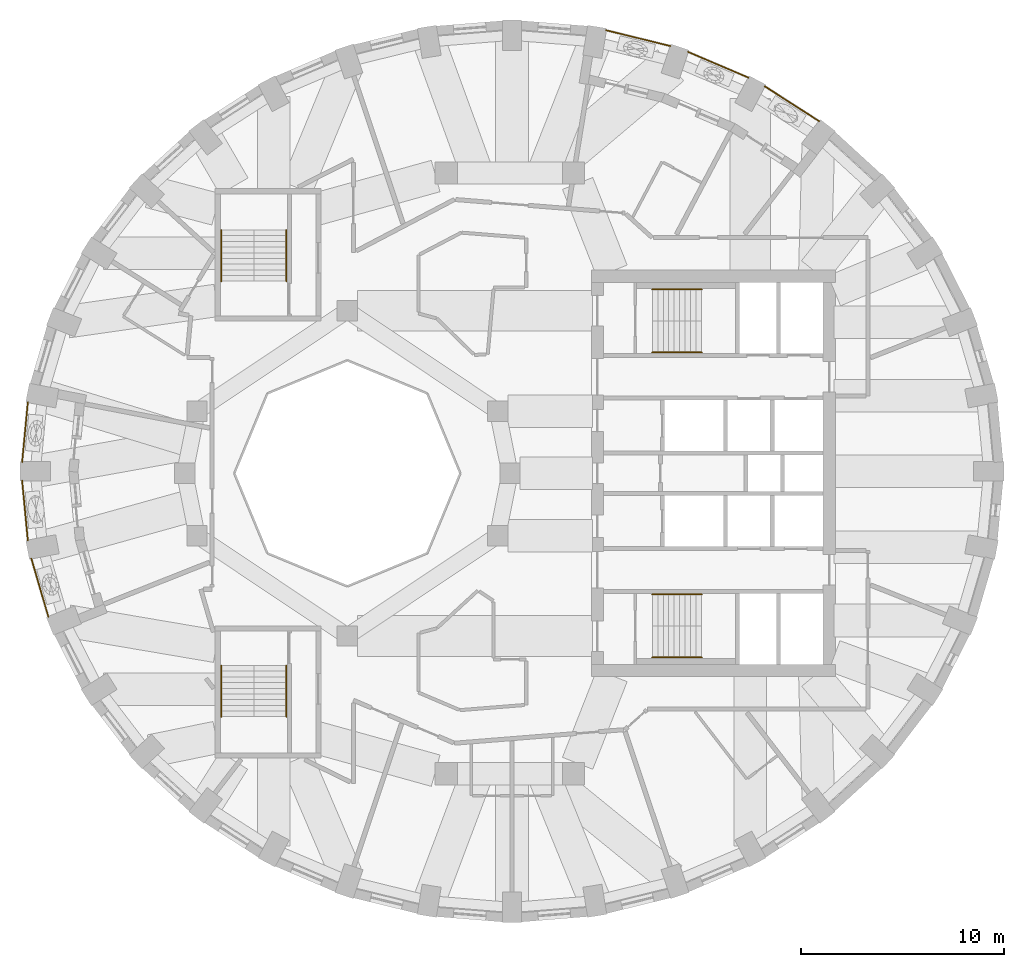
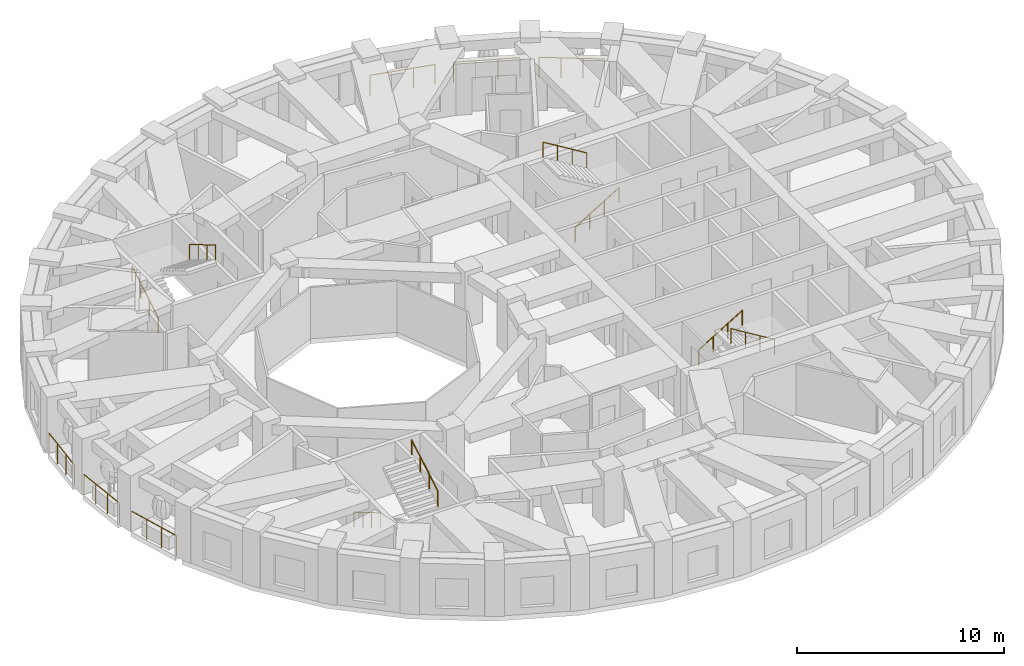
# One storey, part 10 of 12: 14 railings.
"""IFC4 building model written with IfcOpenShell, lengths in metres."""

from ifc_helpers import new_model, si_unit, direction, frame, origin, origin_2d, place, context, subcontext, project, spatial, circle, extrude, material, type_object, element, save


model = new_model("IFC4")

# Units and contexts
model_context = context("Model", 3, precision=1e-05, world=origin(), true_north=direction((0.0, 1.0)))
body_context = subcontext(model_context, "Body", "Model", "MODEL_VIEW")
ifc_project = project(units=[si_unit("LENGTHUNIT", "METRE"), si_unit("AREAUNIT", "SQUARE_METRE"), si_unit("VOLUMEUNIT", "CUBIC_METRE"), si_unit("PLANEANGLEUNIT", "RADIAN"), si_unit("MASSUNIT", "GRAM", prefix="KILO")], contexts=[model_context])

# Site, building, storey
site_placement = place(None, origin())
site = spatial("IfcSite", under=ifc_project, at=site_placement, CompositionType="ELEMENT")
building_placement = place(site_placement, origin())
building = spatial("IfcBuilding", under=site, at=building_placement, Name="Taillehof Tower", CompositionType="ELEMENT")
storey_placement = place(building_placement, frame((0.0, 0.0, 148.39990234375)))
storey = spatial("IfcBuildingStorey", under=building, at=storey_placement, Name="L41", CompositionType="ELEMENT", Elevation=148.39990234375)

# Railings
ifc_material_1 = material(Name="Stainless steel balustrade", Category="steel")
railing_type_1 = type_object("IfcRailingType", Name="Balcony guard 1200", PredefinedType="GUARDRAIL", material=ifc_material_1)
railing_1_placement = place(storey_placement, frame((-23.714599609375, 3.5, 0.0)))
element("IfcRailing", 1, at=railing_1_placement, inside=storey, type_object=railing_type_1, Name="Balcony guard L41 bay 18", PredefinedType="GUARDRAIL", context=body_context, shape_type="SweptSolid", body=[
    extrude(circle(Radius=0.02392578125, at=origin_2d()), frame((0.0, 0.0, 1.17578125), z_axis=(-0.095155707846, -0.995462400729, 0.0), x_axis=(0.995462400729, -0.095155707846, 0.0)), (0.0, 0.0, 1.0), 2.958251953125),
    extrude(circle(Radius=0.02099609375, at=origin_2d()), origin(), (0.0, 0.0, 1.0), 1.15185546875),
    extrude(circle(Radius=0.02099609375, at=origin_2d()), frame((-0.09375, -0.981689453125, 0.0)), (0.0, 0.0, 1.0), 1.15185546875),
    extrude(circle(Radius=0.02099609375, at=origin_2d()), frame((-0.187744140625, -1.963134765625, 0.0)), (0.0, 0.0, 1.0), 1.15185546875),
    extrude(circle(Radius=0.02099609375, at=origin_2d()), frame((-0.281494140625, -2.94482421875, 0.0)), (0.0, 0.0, 1.0), 1.15185546875),
])
railing_2_placement = place(storey_placement, frame((-23.99609375, -0.35498046875, 0.0)))
element("IfcRailing", 2, at=railing_2_placement, inside=storey, type_object=railing_type_1, Name="Balcony guard L41 bay 19", PredefinedType="GUARDRAIL", context=body_context, shape_type="SweptSolid", body=[
    extrude(circle(Radius=0.02392578125, at=origin_2d()), frame((0.0, 0.0, 1.17578125), z_axis=(0.095155707846, -0.995462400729, 0.0), x_axis=(0.995462400729, 0.095155707846, 0.0)), (0.0, 0.0, 1.0), 2.958251953125),
    extrude(circle(Radius=0.02099609375, at=origin_2d()), origin(), (0.0, 0.0, 1.0), 1.15185546875),
    extrude(circle(Radius=0.02099609375, at=origin_2d()), frame((0.09375, -0.981689453125, 0.0)), (0.0, 0.0, 1.0), 1.15185546875),
    extrude(circle(Radius=0.02099609375, at=origin_2d()), frame((0.187744140625, -1.963134765625, 0.0)), (0.0, 0.0, 1.0), 1.15185546875),
    extrude(circle(Radius=0.02099609375, at=origin_2d()), frame((0.281494140625, -2.94482421875, 0.0)), (0.0, 0.0, 1.0), 1.15185546875),
])
railing_3_placement = place(storey_placement, frame((-23.54248046875, -4.193603515625, 0.0)))
element("IfcRailing", 3, at=railing_3_placement, inside=storey, type_object=railing_type_1, Name="Balcony guard L41 bay 20", PredefinedType="GUARDRAIL", context=body_context, shape_type="SweptSolid", body=[
    extrude(circle(Radius=0.02392578125, at=origin_2d()), frame((0.0, 0.0, 1.17578125), z_axis=(0.281070006833, -0.959687267426, 0.0), x_axis=(0.959687267426, 0.281070006833, 0.0)), (0.0, 0.0, 1.0), 2.978515625),
    extrude(circle(Radius=0.02099609375, at=origin_2d()), origin(), (0.0, 0.0, 1.0), 1.15185546875),
    extrude(circle(Radius=0.02099609375, at=origin_2d()), frame((0.279052734375, -0.952880859375, 0.0)), (0.0, 0.0, 1.0), 1.15185546875),
    extrude(circle(Radius=0.02099609375, at=origin_2d()), frame((0.55810546875, -1.905517578125, 0.0)), (0.0, 0.0, 1.0), 1.15185546875),
    extrude(circle(Radius=0.02099609375, at=origin_2d()), frame((0.837158203125, -2.8583984375, 0.0)), (0.0, 0.0, 1.0), 1.15185546875),
])
railing_4_placement = place(storey_placement, frame((15.20947265625, 17.32470703125, 0.0)))
element("IfcRailing", 4, at=railing_4_placement, inside=storey, type_object=railing_type_1, Name="Balcony guard L41 bay 6", PredefinedType="GUARDRAIL", context=body_context, shape_type="SweptSolid", body=[
    extrude(circle(Radius=0.02392578125, at=origin_2d()), frame((0.0, 0.0, 1.17578125), z_axis=(-0.842048180821, 0.539402318475, 0.0), x_axis=(-0.539402318475, -0.842048180821, 0.0)), (0.0, 0.0, 1.0), 3.17919921875),
    extrude(circle(Radius=0.02099609375, at=origin_2d()), origin(), (0.0, 0.0, 1.0), 1.15185546875),
    extrude(circle(Radius=0.02099609375, at=origin_2d()), frame((-0.892333984375, 0.571533203125, 0.0)), (0.0, 0.0, 1.0), 1.15185546875),
    extrude(circle(Radius=0.02099609375, at=origin_2d()), frame((-1.78466796875, 1.143310546875, 0.0)), (0.0, 0.0, 1.0), 1.15185546875),
    extrude(circle(Radius=0.02099609375, at=origin_2d()), frame((-2.677001953125, 1.71484375, 0.0)), (0.0, 0.0, 1.0), 1.15185546875),
])
railing_5_placement = place(storey_placement, frame((11.727783203125, 19.465087890625, 0.0)))
element("IfcRailing", 5, at=railing_5_placement, inside=storey, type_object=railing_type_1, Name="Balcony guard L41 bay 7", PredefinedType="GUARDRAIL", context=body_context, shape_type="SweptSolid", body=[
    extrude(circle(Radius=0.02392578125, at=origin_2d()), frame((0.0, 0.0, 1.17578125), z_axis=(-0.919824392668, 0.39233032849, 0.0), x_axis=(-0.39233032849, -0.919824392668, 0.0)), (0.0, 0.0, 1.0), 3.227783203125),
    extrude(circle(Radius=0.02099609375, at=origin_2d()), origin(), (0.0, 0.0, 1.0), 1.15185546875),
    extrude(circle(Radius=0.02099609375, at=origin_2d()), frame((-0.98974609375, 0.422119140625, 0.0)), (0.0, 0.0, 1.0), 1.15185546875),
    extrude(circle(Radius=0.02099609375, at=origin_2d()), frame((-1.979248046875, 0.84423828125, 0.0)), (0.0, 0.0, 1.0), 1.15185546875),
    extrude(circle(Radius=0.02099609375, at=origin_2d()), frame((-2.968994140625, 1.266357421875, 0.0)), (0.0, 0.0, 1.0), 1.15185546875),
])
railing_6_placement = place(storey_placement, frame((7.895263671875, 21.019287109375, 0.0)))
element("IfcRailing", 6, at=railing_6_placement, inside=storey, type_object=railing_type_1, Name="Balcony guard L41 bay 8", PredefinedType="GUARDRAIL", context=body_context, shape_type="SweptSolid", body=[
    extrude(circle(Radius=0.02392578125, at=origin_2d()), frame((0.0, 0.0, 1.17578125), z_axis=(-0.971236963408, 0.238115016139, 0.0), x_axis=(-0.238115016139, -0.971236963408, 0.0)), (0.0, 0.0, 1.0), 3.263427734375),
    extrude(circle(Radius=0.02099609375, at=origin_2d()), origin(), (0.0, 0.0, 1.0), 1.15185546875),
    extrude(circle(Radius=0.02099609375, at=origin_2d()), frame((-1.056640625, 0.259033203125, 0.0)), (0.0, 0.0, 1.0), 1.15185546875),
    extrude(circle(Radius=0.02099609375, at=origin_2d()), frame((-2.113037109375, 0.51806640625, 0.0)), (0.0, 0.0, 1.0), 1.15185546875),
    extrude(circle(Radius=0.02099609375, at=origin_2d()), frame((-3.169677734375, 0.777099609375, 0.0)), (0.0, 0.0, 1.0), 1.15185546875),
])
ifc_material_2 = material(Name="Stainless steel", Category="steel")
railing_type_2 = type_object("IfcRailingType", Name="Stair handrail 900", PredefinedType="HANDRAIL", material=ifc_material_2)
railing_7_placement = place(storey_placement, frame((7.0, 5.949951171875, 0.1650390625)))
element("IfcRailing", 7, at=railing_7_placement, inside=storey, type_object=railing_type_2, Name="Stair S1 handrail", PredefinedType="HANDRAIL", context=body_context, shape_type="SweptSolid", body=[
    extrude(circle(Radius=0.02392578125, at=origin_2d()), frame((0.0, 0.0, 0.8759765625), z_axis=(0.853258522278, 0.0, 0.521488153423), x_axis=(0.0, 1.0, 0.0)), (0.0, 0.0, 1.0), 2.847900390625),
    extrude(circle(Radius=0.02099609375, at=origin_2d()), origin(), (0.0, 0.0, 1.0), 0.851806640625),
    extrude(circle(Radius=0.02099609375, at=origin_2d()), frame((0.81005859375, 0.0, 0.4951171875)), (0.0, 0.0, 1.0), 0.851806640625),
    extrude(circle(Radius=0.02099609375, at=origin_2d()), frame((1.619873046875, 0.0, 0.989990234375)), (0.0, 0.0, 1.0), 0.851806640625),
    extrude(circle(Radius=0.02099609375, at=origin_2d()), frame((2.429931640625, 0.0, 1.485107421875)), (0.0, 0.0, 1.0), 0.851806640625),
])
railing_8_placement = place(storey_placement, frame((9.429931640625, 9.050048828125, 1.815185546875)))
element("IfcRailing", 8, at=railing_8_placement, inside=storey, type_object=railing_type_2, Name="Stair S1 handrail", PredefinedType="HANDRAIL", context=body_context, shape_type="SweptSolid", body=[
    extrude(circle(Radius=0.02392578125, at=origin_2d()), frame((0.0, 0.0, 0.8759765625), z_axis=(-0.853296667938, 0.0, 0.521425734392), x_axis=(0.0, -1.0, 0.0)), (0.0, 0.0, 1.0), 2.84765625),
    extrude(circle(Radius=0.02099609375, at=origin_2d()), origin(), (0.0, 0.0, 1.0), 0.851806640625),
    extrude(circle(Radius=0.02099609375, at=origin_2d()), frame((-0.81005859375, 0.0, 0.494873046875)), (0.0, 0.0, 1.0), 0.851806640625),
    extrude(circle(Radius=0.02099609375, at=origin_2d()), frame((-1.619873046875, 0.0, 0.989990234375)), (0.0, 0.0, 1.0), 0.851806640625),
    extrude(circle(Radius=0.02099609375, at=origin_2d()), frame((-2.429931640625, 0.0, 1.48486328125)), (0.0, 0.0, 1.0), 0.851806640625),
])
railing_9_placement = place(storey_placement, frame((7.0, -5.949951171875, 0.1650390625)))
element("IfcRailing", 9, at=railing_9_placement, inside=storey, type_object=railing_type_2, Name="Stair S2 handrail", PredefinedType="HANDRAIL", context=body_context, shape_type="SweptSolid", body=[
    extrude(circle(Radius=0.02392578125, at=origin_2d()), frame((0.0, 0.0, 0.8759765625), z_axis=(0.853258522278, 0.0, 0.521488153423), x_axis=(0.0, 1.0, 0.0)), (0.0, 0.0, 1.0), 2.847900390625),
    extrude(circle(Radius=0.02099609375, at=origin_2d()), origin(), (0.0, 0.0, 1.0), 0.851806640625),
    extrude(circle(Radius=0.02099609375, at=origin_2d()), frame((0.81005859375, 0.0, 0.4951171875)), (0.0, 0.0, 1.0), 0.851806640625),
    extrude(circle(Radius=0.02099609375, at=origin_2d()), frame((1.619873046875, 0.0, 0.989990234375)), (0.0, 0.0, 1.0), 0.851806640625),
    extrude(circle(Radius=0.02099609375, at=origin_2d()), frame((2.429931640625, 0.0, 1.485107421875)), (0.0, 0.0, 1.0), 0.851806640625),
])
railing_10_placement = place(storey_placement, frame((9.429931640625, -9.050048828125, 1.815185546875)))
element("IfcRailing", 10, at=railing_10_placement, inside=storey, type_object=railing_type_2, Name="Stair S2 handrail", PredefinedType="HANDRAIL", context=body_context, shape_type="SweptSolid", body=[
    extrude(circle(Radius=0.02392578125, at=origin_2d()), frame((0.0, 0.0, 0.8759765625), z_axis=(-0.853296667938, 0.0, 0.521425734392), x_axis=(0.0, -1.0, 0.0)), (0.0, 0.0, 1.0), 2.84765625),
    extrude(circle(Radius=0.02099609375, at=origin_2d()), origin(), (0.0, 0.0, 1.0), 0.851806640625),
    extrude(circle(Radius=0.02099609375, at=origin_2d()), frame((-0.81005859375, 0.0, 0.494873046875)), (0.0, 0.0, 1.0), 0.851806640625),
    extrude(circle(Radius=0.02099609375, at=origin_2d()), frame((-1.619873046875, 0.0, 0.989990234375)), (0.0, 0.0, 1.0), 0.851806640625),
    extrude(circle(Radius=0.02099609375, at=origin_2d()), frame((-2.429931640625, 0.0, 1.48486328125)), (0.0, 0.0, 1.0), 0.851806640625),
])
railing_11_placement = place(storey_placement, frame((-14.199951171875, 9.449951171875, 0.1650390625)))
element("IfcRailing", 11, at=railing_11_placement, inside=storey, type_object=railing_type_2, Name="Stair S3 handrail", PredefinedType="HANDRAIL", context=body_context, shape_type="SweptSolid", body=[
    extrude(circle(Radius=0.02392578125, at=origin_2d()), frame((0.0, 0.0, 0.8759765625), z_axis=(0.0, 0.86152411907, 0.507716645641), x_axis=(-1.0, 0.0, 0.0)), (0.0, 0.0, 1.0), 2.925048828125),
    extrude(circle(Radius=0.02099609375, at=origin_2d()), origin(), (0.0, 0.0, 1.0), 0.851806640625),
    extrude(circle(Radius=0.02099609375, at=origin_2d()), frame((0.0, 0.840087890625, 0.4951171875)), (0.0, 0.0, 1.0), 0.851806640625),
    extrude(circle(Radius=0.02099609375, at=origin_2d()), frame((0.0, 1.679931640625, 0.989990234375)), (0.0, 0.0, 1.0), 0.851806640625),
    extrude(circle(Radius=0.02099609375, at=origin_2d()), frame((0.0, 2.52001953125, 1.485107421875)), (0.0, 0.0, 1.0), 0.851806640625),
])
railing_12_placement = place(storey_placement, frame((-11.0, 11.969970703125, 1.815185546875)))
element("IfcRailing", 12, at=railing_12_placement, inside=storey, type_object=railing_type_2, Name="Stair S3 handrail", PredefinedType="HANDRAIL", context=body_context, shape_type="SweptSolid", body=[
    extrude(circle(Radius=0.02392578125, at=origin_2d()), frame((0.0, 0.0, 0.8759765625), z_axis=(0.0, -0.861560626758, 0.507654692109), x_axis=(1.0, 0.0, 0.0)), (0.0, 0.0, 1.0), 2.925048828125),
    extrude(circle(Radius=0.02099609375, at=origin_2d()), origin(), (0.0, 0.0, 1.0), 0.851806640625),
    extrude(circle(Radius=0.02099609375, at=origin_2d()), frame((0.0, -0.840087890625, 0.494873046875)), (0.0, 0.0, 1.0), 0.851806640625),
    extrude(circle(Radius=0.02099609375, at=origin_2d()), frame((0.0, -1.679931640625, 0.989990234375)), (0.0, 0.0, 1.0), 0.851806640625),
    extrude(circle(Radius=0.02099609375, at=origin_2d()), frame((0.0, -2.52001953125, 1.48486328125)), (0.0, 0.0, 1.0), 0.851806640625),
])
railing_13_placement = place(storey_placement, frame((-14.199951171875, -9.449951171875, 0.1650390625)))
element("IfcRailing", 13, at=railing_13_placement, inside=storey, type_object=railing_type_2, Name="Stair S4 handrail", PredefinedType="HANDRAIL", context=body_context, shape_type="SweptSolid", body=[
    extrude(circle(Radius=0.02392578125, at=origin_2d()), frame((0.0, 0.0, 0.8759765625), z_axis=(0.0, -0.86152411907, 0.507716645641), x_axis=(1.0, 0.0, 0.0)), (0.0, 0.0, 1.0), 2.925048828125),
    extrude(circle(Radius=0.02099609375, at=origin_2d()), origin(), (0.0, 0.0, 1.0), 0.851806640625),
    extrude(circle(Radius=0.02099609375, at=origin_2d()), frame((0.0, -0.840087890625, 0.4951171875)), (0.0, 0.0, 1.0), 0.851806640625),
    extrude(circle(Radius=0.02099609375, at=origin_2d()), frame((0.0, -1.679931640625, 0.989990234375)), (0.0, 0.0, 1.0), 0.851806640625),
    extrude(circle(Radius=0.02099609375, at=origin_2d()), frame((0.0, -2.52001953125, 1.485107421875)), (0.0, 0.0, 1.0), 0.851806640625),
])
railing_14_placement = place(storey_placement, frame((-11.0, -11.969970703125, 1.815185546875)))
element("IfcRailing", 14, at=railing_14_placement, inside=storey, type_object=railing_type_2, Name="Stair S4 handrail", PredefinedType="HANDRAIL", context=body_context, shape_type="SweptSolid", body=[
    extrude(circle(Radius=0.02392578125, at=origin_2d()), frame((0.0, 0.0, 0.8759765625), z_axis=(0.0, 0.861560626758, 0.507654692109), x_axis=(-1.0, 0.0, 0.0)), (0.0, 0.0, 1.0), 2.925048828125),
    extrude(circle(Radius=0.02099609375, at=origin_2d()), origin(), (0.0, 0.0, 1.0), 0.851806640625),
    extrude(circle(Radius=0.02099609375, at=origin_2d()), frame((0.0, 0.840087890625, 0.494873046875)), (0.0, 0.0, 1.0), 0.851806640625),
    extrude(circle(Radius=0.02099609375, at=origin_2d()), frame((0.0, 1.679931640625, 0.989990234375)), (0.0, 0.0, 1.0), 0.851806640625),
    extrude(circle(Radius=0.02099609375, at=origin_2d()), frame((0.0, 2.52001953125, 1.48486328125)), (0.0, 0.0, 1.0), 0.851806640625),
])

save(model, "model.ifc")
